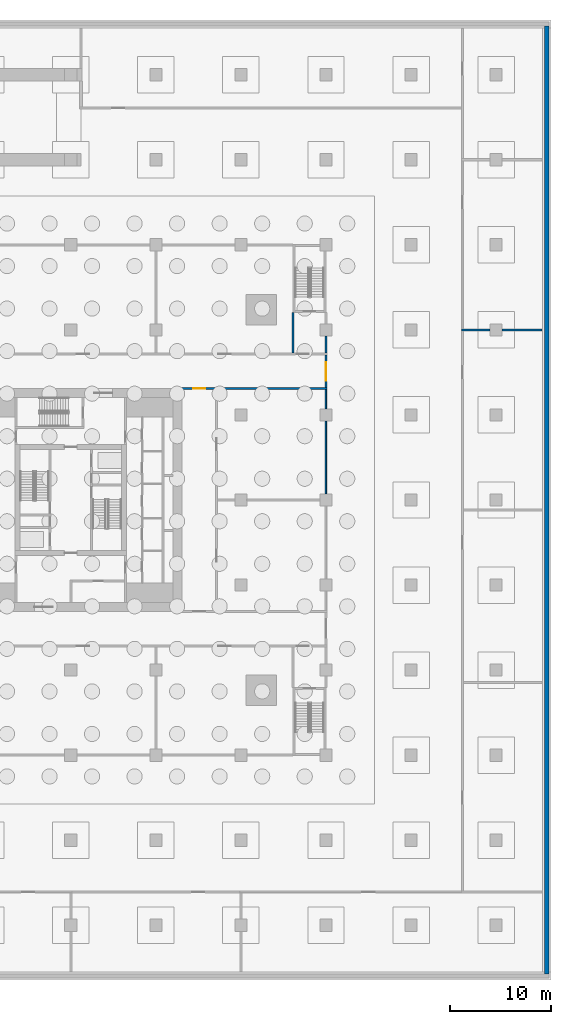
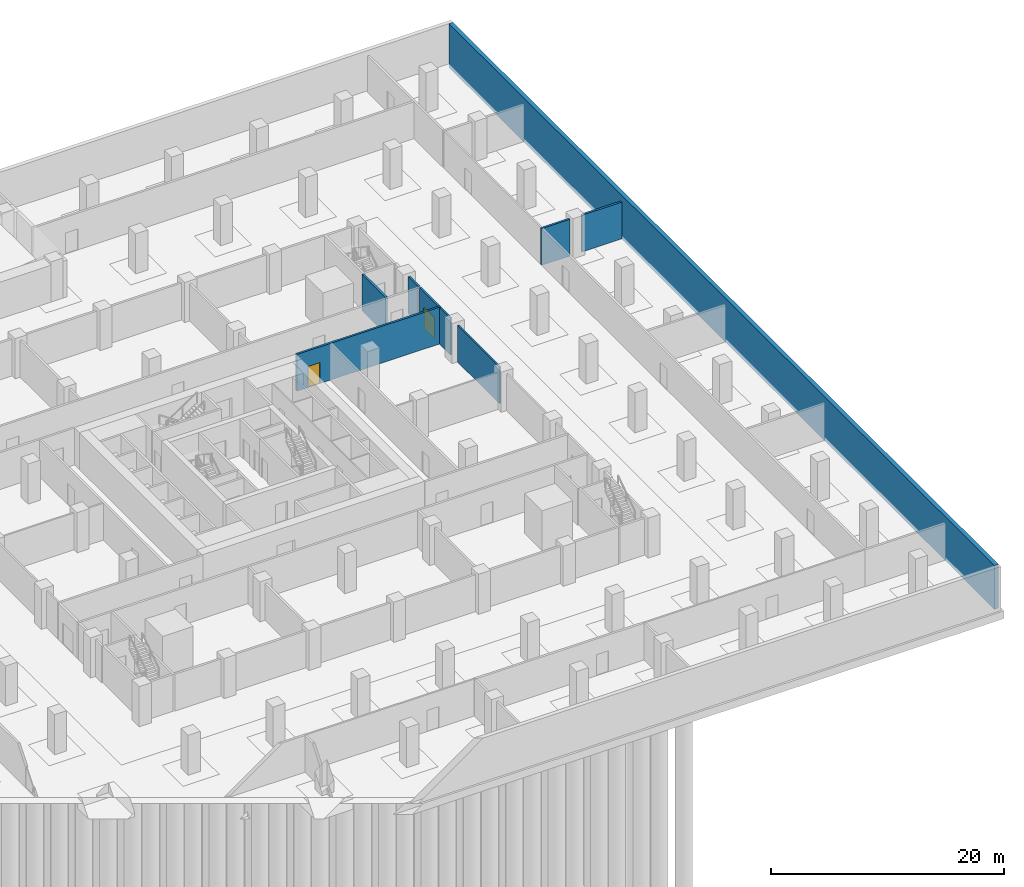
# One storey, part 10 of 19: 9 walls, 2 doors, 2 openings.
"""IFC4 building model written with IfcOpenShell, lengths in metres."""

from ifc_helpers import new_model, si_unit, direction, frame, frame_2d, origin, place, context, subcontext, project, spatial, rectangle, extrude, material, layer, layer_set, type_object, element, fill, save


model = new_model("IFC4")

# Units and contexts
model_context = context("Model", 3, precision=1e-05, world=origin(), true_north=direction((0.0, 1.0)))
body_context = subcontext(model_context, "Body", "Model", "MODEL_VIEW")
ifc_project = project(units=[si_unit("LENGTHUNIT", "METRE"), si_unit("AREAUNIT", "SQUARE_METRE"), si_unit("VOLUMEUNIT", "CUBIC_METRE"), si_unit("PLANEANGLEUNIT", "RADIAN"), si_unit("MASSUNIT", "GRAM", prefix="KILO")], contexts=[model_context])

# Site, building, storey
site_placement = place(None, origin())
site = spatial("IfcSite", under=ifc_project, at=site_placement, CompositionType="ELEMENT")
building_placement = place(site_placement, origin())
building = spatial("IfcBuilding", under=site, at=building_placement, Name="Khepri Terraces", CompositionType="ELEMENT")
storey_placement = place(building_placement, frame((0.0, 0.0, -8.39990234375)))
storey = spatial("IfcBuildingStorey", under=building, at=storey_placement, Name="B2", CompositionType="ELEMENT", Elevation=-8.39990234375)

# Walls
ifc_material_1 = material(Name="Concrete C60/75", Category="concrete")
ifc_layer_1 = layer(ifc_material_1, 0.39990234375, Name="Concrete C60/75", Category="concrete")
ifc_layer_set_1 = layer_set([ifc_layer_1], Name="Concrete C60/75")
wall_type_1 = type_object("IfcWallType", Name="Retaining wall RW1", PredefinedType="USERDEFINED", material=ifc_layer_set_1)
wall_1_placement = place(storey_placement, frame((47.0, -46.800048828125, -0.400146484375), z_axis=(0.0, 0.0, 1.0), x_axis=(0.0, 1.0, 0.0)))
element("IfcWall", 1, at=wall_1_placement, inside=storey, type_object=wall_type_1, Name="Basement retaining wall E B2", ObjectType="RETAINING WALL", PredefinedType="USERDEFINED", context=body_context, shape_type="SweptSolid", body=[
    extrude(rectangle(XDim=93.60009765625, YDim=0.39990234375, at=frame_2d((46.800048828125, 0.0))), origin(), (0.0, 0.0, 1.0), 4.60009765625),
])
ifc_material_2 = material(Name="Gypsum board partition")
ifc_layer_2 = layer(ifc_material_2, 0.14990234375, Name="Gypsum board partition")
ifc_layer_set_2 = layer_set([ifc_layer_2], Name="Gypsum board partition")
wall_type_2 = type_object("IfcWallType", Name="WL-POD-150", PredefinedType="PARTITIONING", material=ifc_layer_set_2)
wall_2_placement = place(storey_placement, frame((25.199951171875, 0.60009765625, 0.0), z_axis=(0.0, 0.0, 1.0), x_axis=(0.0, 1.0, 0.0)))
element("IfcWall", 2, at=wall_2_placement, inside=storey, type_object=wall_type_2, Name="Partition B2-PW096", PredefinedType="PARTITIONING", context=body_context, shape_type="SweptSolid", body=[
    extrude(rectangle(XDim=7.199951171875, YDim=0.14990234375, at=frame_2d((3.60009765625, 0.0))), origin(), (0.0, 0.0, 1.0), 3.849853515625),
])
wall_3_placement = place(storey_placement, frame((25.199951171875, 9.0, 0.0), z_axis=(0.0, 0.0, 1.0), x_axis=(0.0, 1.0, 0.0)))
element("IfcWall", 3, at=wall_3_placement, inside=storey, type_object=wall_type_2, Name="Partition B2-PW097", PredefinedType="PARTITIONING", context=body_context, shape_type="SweptSolid", body=[
    extrude(rectangle(XDim=1.89990234375, YDim=0.14990234375, at=frame_2d((0.949951171875, 0.0))), origin(), (0.0, 0.0, 1.0), 3.849853515625),
])
ifc_material_3 = material(Name="Fire-rated block wall")
ifc_layer_3 = layer(ifc_material_3, 0.199951171875, Name="Fire-rated block wall")
ifc_layer_set_3 = layer_set([ifc_layer_3], Name="Fire-rated block wall")
wall_type_3 = type_object("IfcWallType", Name="WL-POD-200-EI120", PredefinedType="PARTITIONING", material=ifc_layer_set_3)
wall_4_placement = place(storey_placement, frame((38.60009765625, 16.800048828125, 0.0), z_axis=(0.0, 0.0, 1.0), x_axis=(1.0, 0.0, 0.0)))
element("IfcWall", 4, at=wall_4_placement, inside=storey, type_object=wall_type_3, Name="Partition B2-PW029", PredefinedType="PARTITIONING", context=body_context, shape_type="SweptSolid", body=[
    extrude(rectangle(XDim=2.7998046875, YDim=0.199951171875, at=frame_2d((1.39990234375, 0.0))), origin(), (0.0, 0.0, 1.0), 3.849853515625),
])
wall_5_placement = place(storey_placement, frame((42.60009765625, 16.800048828125, 0.0), z_axis=(0.0, 0.0, 1.0), x_axis=(1.0, 0.0, 0.0)))
element("IfcWall", 5, at=wall_5_placement, inside=storey, type_object=wall_type_3, Name="Partition B2-PW030", PredefinedType="PARTITIONING", context=body_context, shape_type="SweptSolid", body=[
    extrude(rectangle(XDim=3.949951171875, YDim=0.199951171875, at=frame_2d((1.97509765625, 0.0))), origin(), (0.0, 0.0, 1.0), 3.849853515625),
])
wall_6_placement = place(storey_placement, frame((21.949951171875, 14.5, 0.0), z_axis=(0.0, 0.0, 1.0), x_axis=(0.0, 1.0, 0.0)))
element("IfcWall", 6, at=wall_6_placement, inside=storey, type_object=wall_type_3, Name="Partition B2-PW090", PredefinedType="PARTITIONING", context=body_context, shape_type="SweptSolid", body=[
    extrude(rectangle(XDim=4.0, YDim=0.199951171875, at=frame_2d((2.0, 0.0))), origin(), (0.0, 0.0, 1.0), 3.849853515625),
])
wall_7_placement = place(storey_placement, frame((25.199951171875, 14.5, 0.0), z_axis=(0.0, 0.0, 1.0), x_axis=(0.0, 1.0, 0.0)))
element("IfcWall", 7, at=wall_7_placement, inside=storey, type_object=wall_type_3, Name="Partition B2-PW099", PredefinedType="PARTITIONING", context=body_context, shape_type="SweptSolid", body=[
    extrude(rectangle(XDim=1.699951171875, YDim=0.199951171875, at=frame_2d((0.85009765625, 0.0))), origin(), (0.0, 0.0, 1.0), 3.849853515625),
])

# Wall, opening, door
ifc_layer_4 = layer(ifc_material_3, 0.199951171875, Name="Fire-rated block wall")
ifc_layer_set_4 = layer_set([ifc_layer_4], Name="Fire-rated block wall")
wall_type_4 = type_object("IfcWallType", Name="WL-POD-200-EI60", PredefinedType="PARTITIONING", material=ifc_layer_set_4)
wall_8_placement = place(storey_placement, frame((11.0, 11.0, 0.0), z_axis=(0.0, 0.0, 1.0), x_axis=(1.0, 0.0, 0.0)))
wall_8 = element("IfcWall", 8, at=wall_8_placement, inside=storey, type_object=wall_type_4, Name="Partition B2-PW025", PredefinedType="PARTITIONING", context=body_context, shape_type="SweptSolid", body=[
    extrude(rectangle(XDim=14.300048828125, YDim=0.199951171875, at=frame_2d((7.14990234375, 0.0))), origin(), (0.0, 0.0, 1.0), 3.849853515625),
])
opening_1_placement = place(wall_8_placement, frame((1.10009765625, 0.0, 0.0)))
opening_1 = element("IfcOpeningElement", 9, at=opening_1_placement, cuts=wall_8, Name="Opening B2-P23", PredefinedType="OPENING", context=body_context, shape_type="SweptSolid", body=[
    extrude(rectangle(XDim=1.199951171875, YDim=2.199951171875, at=frame_2d((0.60009765625, 1.10009765625))), frame((0.0, 0.10986328125, 0.0), z_axis=(0.0, -1.0, 0.0), x_axis=(1.0, 0.0, 0.0)), (0.0, 0.0, 1.0), 0.219970703125),
])
ifc_material_4 = material(Name="Painted steel", Category="steel")
door_type_1 = type_object("IfcDoorType", Name="DR-POD-FIRE-1200", OperationType="NOTDEFINED", PredefinedType="DOOR", material=ifc_material_4)
door_1_placement = place(opening_1_placement, origin())
door_1 = element("IfcDoor", 10, at=door_1_placement, inside=storey, type_object=door_type_1, Name="Fire door B2-P23", OperationType="SINGLE_SWING_LEFT", OverallHeight=2.199951171875, OverallWidth=1.199951171875, PredefinedType="DOOR", context=body_context, shape_type="SweptSolid", body=[
    extrude(rectangle(XDim=1.199951171875, YDim=2.199951171875, at=frame_2d((0.60009765625, 1.10009765625))), frame((0.0, 0.02490234375, 0.0), z_axis=(0.0, -1.0, 0.0), x_axis=(1.0, 0.0, 0.0)), (0.0, 0.0, 1.0), 0.050048828125),
])
fill(opening_1, door_1)

wall_9_placement = place(storey_placement, frame((25.199951171875, 11.10009765625, 0.0), z_axis=(0.0, 0.0, 1.0), x_axis=(0.0, 1.0, 0.0)))
wall_9 = element("IfcWall", 11, at=wall_9_placement, inside=storey, type_object=wall_type_4, Name="Partition B2-PW098", PredefinedType="PARTITIONING", context=body_context, shape_type="SweptSolid", body=[
    extrude(rectangle(XDim=3.199951171875, YDim=0.199951171875, at=frame_2d((1.60009765625, 0.0))), origin(), (0.0, 0.0, 1.0), 3.849853515625),
])
opening_2_placement = place(wall_9_placement, frame((0.699951171875, 0.0, 0.0)))
opening_2 = element("IfcOpeningElement", 12, at=opening_2_placement, cuts=wall_9, Name="Opening B2-P27", PredefinedType="OPENING", context=body_context, shape_type="SweptSolid", body=[
    extrude(rectangle(XDim=1.800048828125, YDim=2.199951171875, at=frame_2d((0.89990234375, 1.10009765625))), frame((0.0, 0.10986328125, 0.0), z_axis=(0.0, -1.0, 0.0), x_axis=(1.0, 0.0, 0.0)), (0.0, 0.0, 1.0), 0.219970703125),
])
door_type_2 = type_object("IfcDoorType", Name="DR-POD-FIRE-PAIR-1800", OperationType="DOUBLE_DOOR_SINGLE_SWING", PredefinedType="DOOR", material=ifc_material_4)
door_2_placement = place(opening_2_placement, origin())
door_2 = element("IfcDoor", 13, at=door_2_placement, inside=storey, type_object=door_type_2, Name="Fire door pair B2-P27", OperationType="DOUBLE_DOOR_SINGLE_SWING", OverallHeight=2.199951171875, OverallWidth=1.800048828125, PredefinedType="DOOR", context=body_context, shape_type="SweptSolid", body=[
    extrude(rectangle(XDim=1.800048828125, YDim=2.199951171875, at=frame_2d((0.89990234375, 1.10009765625))), frame((0.0, 0.02490234375, 0.0), z_axis=(0.0, -1.0, 0.0), x_axis=(1.0, 0.0, 0.0)), (0.0, 0.0, 1.0), 0.050048828125),
])
fill(opening_2, door_2)

save(model, "model.ifc")
